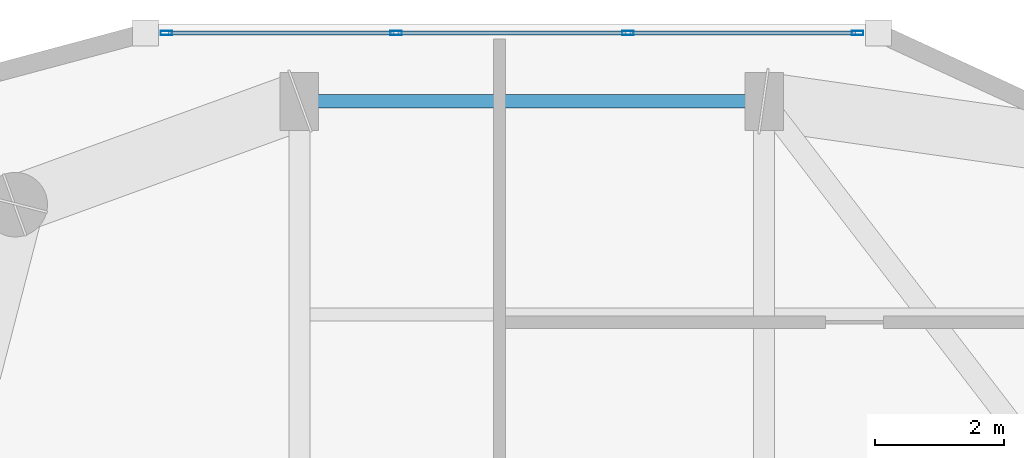
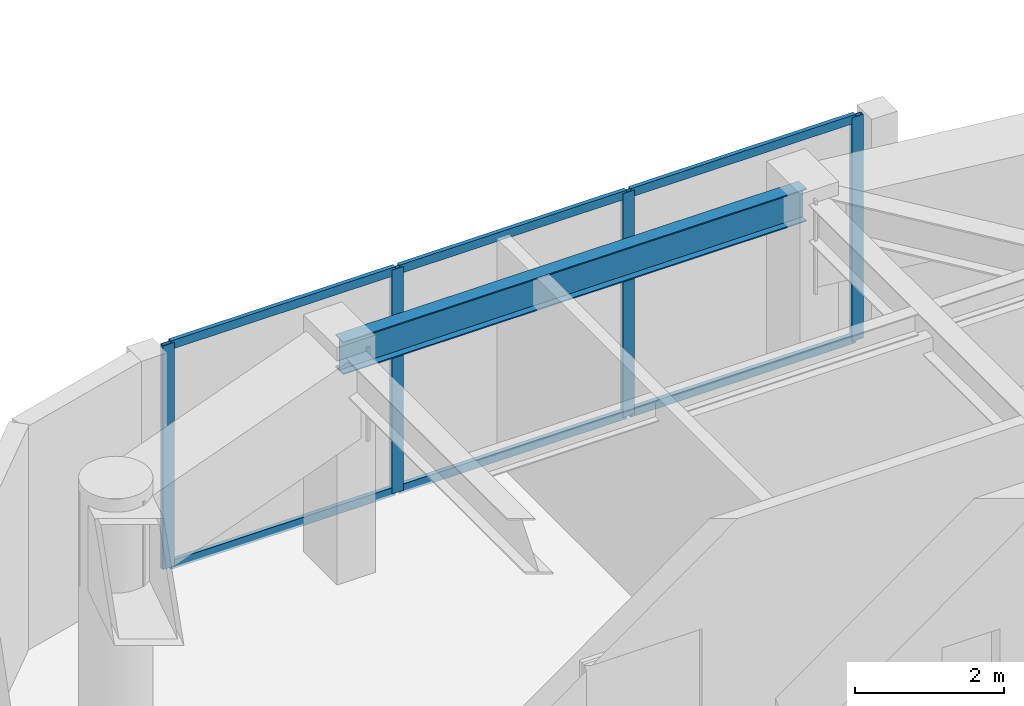
# One storey, part 6 of 16: 10 members, 1 beam, 1 element without a shape of its own.
"""IFC4 building model written with IfcOpenShell, lengths in metres."""

from ifc_helpers import new_model, si_unit, direction, frame, origin, origin_2d, place, context, subcontext, project, spatial, hollow_rectangle, i_section, extrude, material, layer, layer_set, material_profile, profile_set, type_object, element, aggregate, save


model = new_model("IFC4")

# Units and contexts
model_context = context("Model", 3, precision=1e-05, world=origin(), true_north=direction((0.0, 1.0)))
body_context = subcontext(model_context, "Body", "Model", "MODEL_VIEW")
ifc_project = project(units=[si_unit("LENGTHUNIT", "METRE"), si_unit("AREAUNIT", "SQUARE_METRE"), si_unit("VOLUMEUNIT", "CUBIC_METRE"), si_unit("PLANEANGLEUNIT", "RADIAN"), si_unit("MASSUNIT", "GRAM", prefix="KILO")], contexts=[model_context])

# Site, building, storey
site_placement = place(None, origin())
site = spatial("IfcSite", under=ifc_project, at=site_placement, CompositionType="ELEMENT")
building_placement = place(site_placement, origin())
building = spatial("IfcBuilding", under=site, at=building_placement, Name="Kiyonajd Concourse Tower", CompositionType="ELEMENT")
storey_placement = place(building_placement, frame((0.0, 0.0, 329.699951171875)))
storey = spatial("IfcBuildingStorey", under=building, at=storey_placement, Name="L83", CompositionType="ELEMENT", Elevation=329.699951171875)

# Beam
ifc_material_1 = material(Name="Steel ASTM A992 Grade 50", Category="steel")
ifc_material_profile_1 = material_profile(ifc_material_1, i_section(OverallWidth=0.2109375, OverallDepth=0.5390625, WebThickness=0.01171875, FlangeThickness=0.018798828125, at=origin_2d()), Name="W530X109")
ifc_profile_set_1 = profile_set([ifc_material_profile_1], Name="Steel ASTM A992 Grade 50")
beam_type = type_object("IfcBeamType", Name="BM-SPAN-530B", PredefinedType="SPANDREL", material=ifc_profile_set_1)
beam_placement = place(storey_placement, frame((39.60009765625, 52.199951171875, 3.41064453125), z_axis=(-1.0, 0.0, 0.0), x_axis=(0.0, -1.0, 0.0)))
element("IfcBeam", 1, at=beam_placement, inside=storey, type_object=beam_type, Name="L83 Perimeter Bundled Tube Spandrel", PredefinedType="SPANDREL", context=body_context, shape_type="SweptSolid", body=[
    extrude(i_section(OverallWidth=0.2109375, OverallDepth=0.5390625, WebThickness=0.01171875, FlangeThickness=0.018798828125, at=origin_2d()), origin(), (0.0, 0.0, 1.0), 7.2001953125),
])

# Curtain wall, members
ifc_material_2 = material(Name="Thermally Broken Anodised Aluminium", Category="aluminium")
ifc_layer = layer(ifc_material_2, 0.179931640625)
ifc_layer_set = layer_set([ifc_layer], Name="Thermally Broken Anodised Aluminium")
curtain_wall_type = type_object("IfcCurtainWallType", Name="CW-SYS-04", PredefinedType="NOTDEFINED", material=ifc_layer_set)
curtain_wall_placement = place(storey_placement, origin())
curtain_wall = element("IfcCurtainWall", 2, at=curtain_wall_placement, inside=storey, type_object=curtain_wall_type, Name="L83 Unitised Curtain Wall CW4", PredefinedType="NOTDEFINED")
ifc_material_profile_2 = material_profile(ifc_material_2, hollow_rectangle(XDim=0.06494140625, YDim=0.179931640625, WallThickness=0.00390625, at=origin_2d()), Name="MULL-65x180")
ifc_profile_set_2 = profile_set([ifc_material_profile_2], Name="Thermally Broken Anodised Aluminium")
member_type_1 = type_object("IfcMemberType", Name="MB-CW-MULL1", PredefinedType="MULLION", material=ifc_profile_set_2)
member_1_placement = place(storey_placement, frame((30.3408203125, 53.260009765625, 0.0), z_axis=(0.0, 0.0, 1.0), x_axis=(0.0, 1.0, 0.0)))
member_1 = element("IfcMember", 3, at=member_1_placement, type_object=member_type_1, Name="CW4 mullion 1", PredefinedType="MULLION", context=body_context, shape_type="SweptSolid", body=[
    extrude(hollow_rectangle(XDim=0.06494140625, YDim=0.179931640625, WallThickness=0.00390625, at=origin_2d()), origin(), (0.0, 0.0, 1.0), 3.679931640625),
])
member_2_placement = place(storey_placement, frame((33.898681640625, 53.260009765625, 0.0), z_axis=(0.0, 0.0, 1.0), x_axis=(0.0, 1.0, 0.0)))
member_2 = element("IfcMember", 4, at=member_2_placement, type_object=member_type_1, Name="CW4 mullion 2", PredefinedType="MULLION", context=body_context, shape_type="SweptSolid", body=[
    extrude(hollow_rectangle(XDim=0.06494140625, YDim=0.179931640625, WallThickness=0.00390625, at=origin_2d()), origin(), (0.0, 0.0, 1.0), 3.679931640625),
])
member_3_placement = place(storey_placement, frame((37.489013671875, 53.260009765625, 0.0), z_axis=(0.0, 0.0, 1.0), x_axis=(0.0, 1.0, 0.0)))
member_3 = element("IfcMember", 5, at=member_3_placement, type_object=member_type_1, Name="CW4 mullion 3", PredefinedType="MULLION", context=body_context, shape_type="SweptSolid", body=[
    extrude(hollow_rectangle(XDim=0.06494140625, YDim=0.179931640625, WallThickness=0.00390625, at=origin_2d()), origin(), (0.0, 0.0, 1.0), 3.679931640625),
])
member_4_placement = place(storey_placement, frame((41.046875, 53.260009765625, 0.0), z_axis=(0.0, 0.0, 1.0), x_axis=(0.0, 1.0, 0.0)))
member_4 = element("IfcMember", 6, at=member_4_placement, type_object=member_type_1, Name="CW4 mullion 4", PredefinedType="MULLION", context=body_context, shape_type="SweptSolid", body=[
    extrude(hollow_rectangle(XDim=0.06494140625, YDim=0.179931640625, WallThickness=0.00390625, at=origin_2d()), origin(), (0.0, 0.0, 1.0), 3.679931640625),
])
ifc_material_profile_3 = material_profile(ifc_material_2, hollow_rectangle(XDim=0.06494140625, YDim=0.139892578125, WallThickness=0.00390625, at=origin_2d()), Name="TRAN-65x140")
ifc_profile_set_3 = profile_set([ifc_material_profile_3], Name="Thermally Broken Anodised Aluminium")
member_type_2 = type_object("IfcMemberType", Name="MB-CW-TRAN1", PredefinedType="USERDEFINED", material=ifc_profile_set_3)
member_5_placement = place(storey_placement, frame((30.373291015625, 53.260009765625, 0.032470703125), z_axis=(1.0, 0.0, 0.0), x_axis=(0.0, 1.0, 0.0)))
member_5 = element("IfcMember", 7, at=member_5_placement, type_object=member_type_2, Name="CW4 transom 1.1", ObjectType="TRANSOM", PredefinedType="USERDEFINED", context=body_context, shape_type="SweptSolid", body=[
    extrude(hollow_rectangle(XDim=0.06494140625, YDim=0.139892578125, WallThickness=0.00390625, at=origin_2d()), origin(), (0.0, 0.0, 1.0), 3.492919921875),
])
member_6_placement = place(storey_placement, frame((30.373291015625, 53.260009765625, 3.6474609375), z_axis=(1.0, 0.0, 0.0), x_axis=(0.0, 1.0, 0.0)))
member_6 = element("IfcMember", 8, at=member_6_placement, type_object=member_type_2, Name="CW4 transom 1.2", ObjectType="TRANSOM", PredefinedType="USERDEFINED", context=body_context, shape_type="SweptSolid", body=[
    extrude(hollow_rectangle(XDim=0.06494140625, YDim=0.139892578125, WallThickness=0.00390625, at=origin_2d()), origin(), (0.0, 0.0, 1.0), 3.492919921875),
])
member_7_placement = place(storey_placement, frame((33.93115234375, 53.260009765625, 0.032470703125), z_axis=(1.0, 0.0, 0.0), x_axis=(0.0, 1.0, 0.0)))
member_7 = element("IfcMember", 9, at=member_7_placement, type_object=member_type_2, Name="CW4 transom 2.1", ObjectType="TRANSOM", PredefinedType="USERDEFINED", context=body_context, shape_type="SweptSolid", body=[
    extrude(hollow_rectangle(XDim=0.06494140625, YDim=0.139892578125, WallThickness=0.00390625, at=origin_2d()), origin(), (0.0, 0.0, 1.0), 3.525390625),
])
member_8_placement = place(storey_placement, frame((33.93115234375, 53.260009765625, 3.6474609375), z_axis=(1.0, 0.0, 0.0), x_axis=(0.0, 1.0, 0.0)))
member_8 = element("IfcMember", 10, at=member_8_placement, type_object=member_type_2, Name="CW4 transom 2.2", ObjectType="TRANSOM", PredefinedType="USERDEFINED", context=body_context, shape_type="SweptSolid", body=[
    extrude(hollow_rectangle(XDim=0.06494140625, YDim=0.139892578125, WallThickness=0.00390625, at=origin_2d()), origin(), (0.0, 0.0, 1.0), 3.525390625),
])
member_9_placement = place(storey_placement, frame((37.521484375, 53.260009765625, 0.032470703125), z_axis=(1.0, 0.0, 0.0), x_axis=(0.0, 1.0, 0.0)))
member_9 = element("IfcMember", 11, at=member_9_placement, type_object=member_type_2, Name="CW4 transom 3.1", ObjectType="TRANSOM", PredefinedType="USERDEFINED", context=body_context, shape_type="SweptSolid", body=[
    extrude(hollow_rectangle(XDim=0.06494140625, YDim=0.139892578125, WallThickness=0.00390625, at=origin_2d()), origin(), (0.0, 0.0, 1.0), 3.492919921875),
])
member_10_placement = place(storey_placement, frame((37.521484375, 53.260009765625, 3.6474609375), z_axis=(1.0, 0.0, 0.0), x_axis=(0.0, 1.0, 0.0)))
member_10 = element("IfcMember", 12, at=member_10_placement, type_object=member_type_2, Name="CW4 transom 3.2", ObjectType="TRANSOM", PredefinedType="USERDEFINED", context=body_context, shape_type="SweptSolid", body=[
    extrude(hollow_rectangle(XDim=0.06494140625, YDim=0.139892578125, WallThickness=0.00390625, at=origin_2d()), origin(), (0.0, 0.0, 1.0), 3.492919921875),
])
aggregate(curtain_wall, [member_1, member_2, member_3, member_4, member_5, member_6, member_7, member_8, member_9, member_10])

save(model, "model.ifc")
